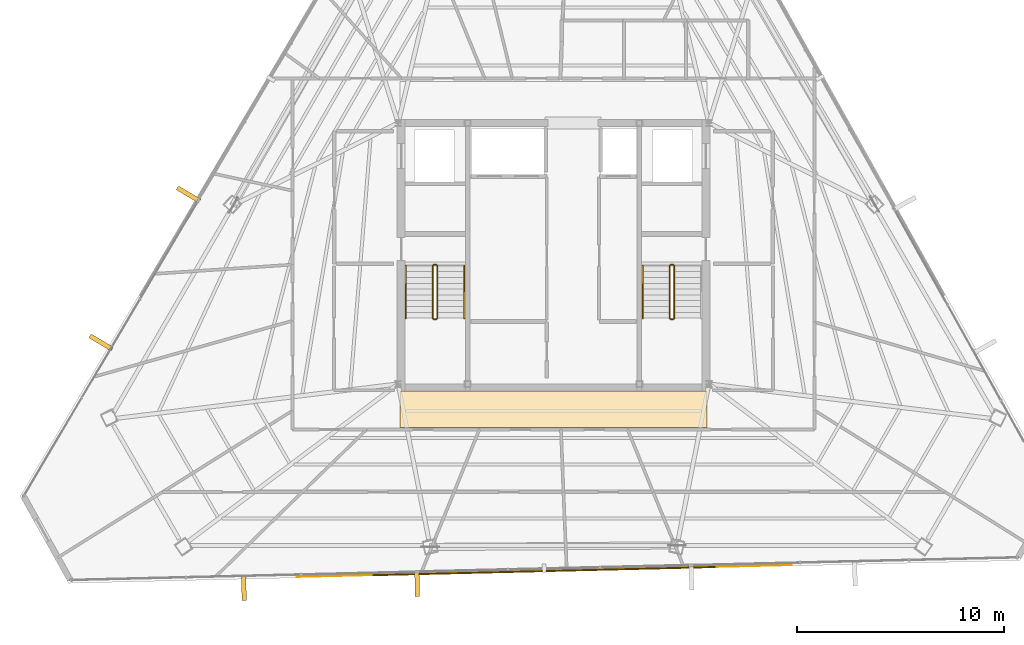
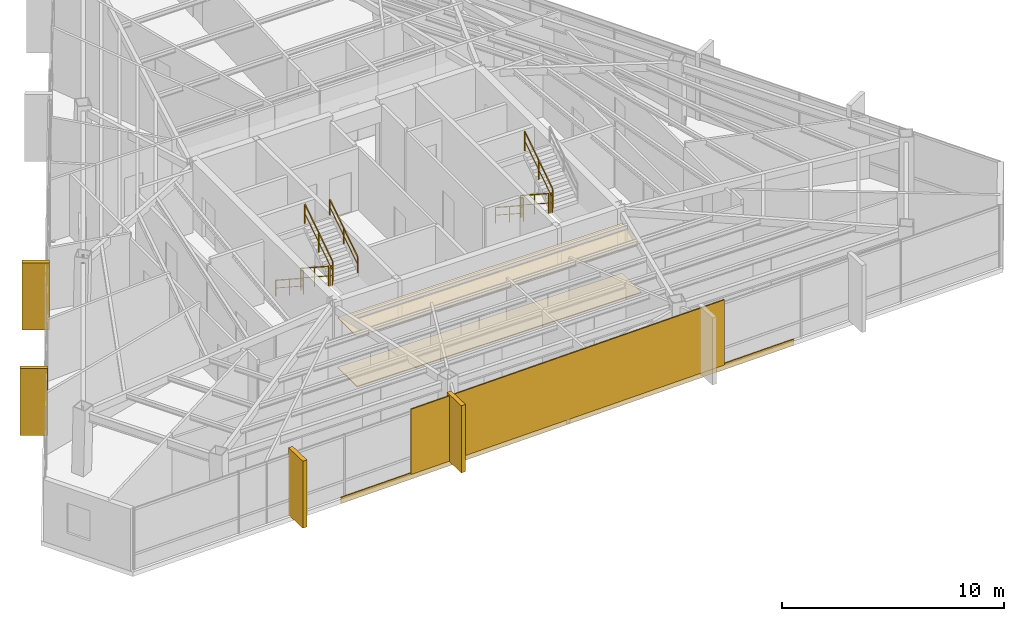
# One storey, part 44 of 45: 11 railings, 7 coverings, 1 shading device.
"""IFC4 building model written with IfcOpenShell, lengths in metres."""

from ifc_helpers import new_model, si_unit, direction, frame, origin, origin_2d, place, context, subcontext, project, spatial, polyline, rectangle, outline, extrude, source, transform, mapped, material, layer, layer_set, type_object, type_shapes, element, save


model = new_model("IFC4")

# Units and contexts
model_context = context("Model", 3, precision=1e-05, world=origin(), true_north=direction((0.0, 1.0)))
body_context = subcontext(model_context, "Body", "Model", "MODEL_VIEW")
ifc_project = project(units=[si_unit("LENGTHUNIT", "METRE"), si_unit("AREAUNIT", "SQUARE_METRE"), si_unit("VOLUMEUNIT", "CUBIC_METRE"), si_unit("PLANEANGLEUNIT", "RADIAN"), si_unit("MASSUNIT", "GRAM", prefix="KILO")], contexts=[model_context])

# Site, building, storey
site_placement = place(None, origin())
site = spatial("IfcSite", under=ifc_project, at=site_placement, CompositionType="ELEMENT")
building_placement = place(site_placement, origin())
building = spatial("IfcBuilding", under=site, at=building_placement, Name="Caelisora Broadcast Tower", CompositionType="ELEMENT")
storey_placement = place(building_placement, frame((0.0, 0.0, 266.35009765625)))
storey = spatial("IfcBuildingStorey", under=building, at=storey_placement, Name="L70", CompositionType="ELEMENT", Elevation=266.35009765625)

# Coverings
ifc_material_1 = material(Name="Perforated Mineral-Fibre Acoustic Ceiling Tile", Category="gypsum")
ifc_layer_1 = layer(ifc_material_1, 0.034912109375, Name="Perforated Mineral-Fibre Acoustic Ceiling Tile")
ifc_layer_set_1 = layer_set([ifc_layer_1], Name="Perforated Mineral-Fibre Acoustic Ceiling Tile")
covering_type_1 = type_object("IfcCoveringType", Name="CE-1", PredefinedType="CEILING", material=ifc_layer_set_1)
covering_1_placement = place(storey_placement, frame((0.0, 0.0, 2.75)))
element("IfcCovering", 1, at=covering_1_placement, inside=storey, type_object=covering_type_1, Name="L70 acoustic corridor ceiling CE-1 (S)", PredefinedType="CEILING", context=body_context, shape_type="SweptSolid", body=[
    extrude(outline(polyline([(30.60009765625, 15.300048828125), (45.39990234375, 15.300048828125), (45.39990234375, 17.050048828125), (30.60009765625, 17.050048828125), (30.60009765625, 15.300048828125)])), origin(), (0.0, 0.0, 1.0), 0.034912109375),
])
ifc_material_2 = material(Name="Anti-Static Broadcast Raised Access Floor Panel", Category="steel")
ifc_layer_2 = layer(ifc_material_2, 0.044921875, Name="Anti-Static Broadcast Raised Access Floor Panel")
ifc_layer_set_2 = layer_set([ifc_layer_2], Name="Anti-Static Broadcast Raised Access Floor Panel")
covering_type_2 = type_object("IfcCoveringType", Name="FL-1", PredefinedType="FLOORING", material=ifc_layer_set_2)
covering_2_placement = place(storey_placement, origin())
element("IfcCovering", 2, at=covering_2_placement, inside=storey, type_object=covering_type_2, Name="L70 broadcast raised access floor FL-1 (S)", PredefinedType="FLOORING", context=body_context, shape_type="SweptSolid", body=[
    extrude(outline(polyline([(30.60009765625, 15.300048828125), (45.39990234375, 15.300048828125), (45.39990234375, 17.050048828125), (30.60009765625, 17.050048828125), (30.60009765625, 15.300048828125)])), origin(), (0.0, 0.0, 1.0), 0.044921875),
])

# Railings
ifc_material_3 = material(Name="Galvanised Steel Safety Guardrail", Category="steel")
ifc_layer_3 = layer(ifc_material_3, 0.048095703125, Name="Galvanised Steel Safety Guardrail")
ifc_layer_set_3 = layer_set([ifc_layer_3], Name="Galvanised Steel Safety Guardrail")
railing_type_1 = type_object("IfcRailingType", Name="GR-1", PredefinedType="GUARDRAIL", material=ifc_layer_set_3)
railing_1_placement = place(storey_placement, frame((32.169921875, 23.10009765625, 0.182373046875)))
element("IfcRailing", 3, at=railing_1_placement, inside=storey, type_object=railing_type_1, Name="L70 ST-1 stair guard 1", PredefinedType="GUARDRAIL", context=body_context, shape_type="SweptSolid", body=[
    extrude(rectangle(XDim=0.048095703125, YDim=0.048095703125, at=origin_2d()), frame((0.0, 0.0, 1.076171875), z_axis=(0.0, -0.837749427056, 0.546054848405), x_axis=(1.0, 0.0, 0.0)), (0.0, 0.0, 1.0), 3.008056640625),
    extrude(rectangle(XDim=0.03125, YDim=0.03125, at=origin_2d()), frame((0.0, 0.0, 0.550048828125), z_axis=(0.0, -0.837749427056, 0.546054848405), x_axis=(1.0, 0.0, 0.0)), (0.0, 0.0, 1.0), 3.008056640625),
    extrude(rectangle(XDim=0.0419921875, YDim=0.0419921875, at=origin_2d()), origin(), (0.0, 0.0, 1.0), 1.052001953125),
    extrude(rectangle(XDim=0.0419921875, YDim=0.0419921875, at=origin_2d()), frame((0.0, -1.260009765625, 0.8212890625)), (0.0, 0.0, 1.0), 1.052001953125),
    extrude(rectangle(XDim=0.0419921875, YDim=0.0419921875, at=origin_2d()), frame((0.0, -2.52001953125, 1.642578125)), (0.0, 0.0, 1.0), 1.052001953125),
])
railing_2_placement = place(storey_placement, frame((32.219970703125, 20.530029296875, 1.824951171875)))
element("IfcRailing", 4, at=railing_2_placement, inside=storey, type_object=railing_type_1, Name="L70 ST-1 stair guard 2", PredefinedType="GUARDRAIL", context=body_context, shape_type="SweptSolid", body=[
    extrude(rectangle(XDim=0.048095703125, YDim=0.048095703125, at=origin_2d()), frame((0.0, 0.0, 1.076171875), z_axis=(1.0, 0.0, 0.0), x_axis=(0.0, 1.0, 0.0)), (0.0, 0.0, 1.0), 0.1201171875),
    extrude(rectangle(XDim=0.03125, YDim=0.03125, at=origin_2d()), frame((0.0, 0.0, 0.550048828125), z_axis=(1.0, 0.0, 0.0), x_axis=(0.0, 1.0, 0.0)), (0.0, 0.0, 1.0), 0.1201171875),
    extrude(rectangle(XDim=0.0419921875, YDim=0.0419921875, at=origin_2d()), origin(), (0.0, 0.0, 1.0), 1.052001953125),
    extrude(rectangle(XDim=0.0419921875, YDim=0.0419921875, at=origin_2d()), frame((0.1201171875, 0.0, 0.0)), (0.0, 0.0, 1.0), 1.052001953125),
])
railing_3_placement = place(storey_placement, frame((32.389892578125, 20.580078125, 2.00732421875)))
element("IfcRailing", 5, at=railing_3_placement, inside=storey, type_object=railing_type_1, Name="L70 ST-1 stair guard 3", PredefinedType="GUARDRAIL", context=body_context, shape_type="SweptSolid", body=[
    extrude(rectangle(XDim=0.048095703125, YDim=0.048095703125, at=origin_2d()), frame((0.0, 0.0, 1.076171875), z_axis=(0.0, 0.837749427056, 0.546054848405), x_axis=(-1.0, 0.0, 0.0)), (0.0, 0.0, 1.0), 3.008056640625),
    extrude(rectangle(XDim=0.03125, YDim=0.03125, at=origin_2d()), frame((0.0, 0.0, 0.550048828125), z_axis=(0.0, 0.837749427056, 0.546054848405), x_axis=(-1.0, 0.0, 0.0)), (0.0, 0.0, 1.0), 3.008056640625),
    extrude(rectangle(XDim=0.0419921875, YDim=0.0419921875, at=origin_2d()), origin(), (0.0, 0.0, 1.0), 1.052001953125),
    extrude(rectangle(XDim=0.0419921875, YDim=0.0419921875, at=origin_2d()), frame((0.0, 1.260009765625, 0.8212890625)), (0.0, 0.0, 1.0), 1.052001953125),
    extrude(rectangle(XDim=0.0419921875, YDim=0.0419921875, at=origin_2d()), frame((0.0, 2.52001953125, 1.642578125)), (0.0, 0.0, 1.0), 1.052001953125),
])
railing_4_placement = place(storey_placement, frame((32.219970703125, 23.14990234375, 0.0)))
element("IfcRailing", 6, at=railing_4_placement, inside=storey, type_object=railing_type_1, Name="L70 ST-1 stair guard 4", PredefinedType="GUARDRAIL", context=body_context, shape_type="SweptSolid", body=[
    extrude(rectangle(XDim=0.048095703125, YDim=0.048095703125, at=origin_2d()), frame((0.0, 0.0, 1.076171875), z_axis=(1.0, 0.0, 0.0), x_axis=(0.0, 1.0, 0.0)), (0.0, 0.0, 1.0), 0.1201171875),
    extrude(rectangle(XDim=0.03125, YDim=0.03125, at=origin_2d()), frame((0.0, 0.0, 0.550048828125), z_axis=(1.0, 0.0, 0.0), x_axis=(0.0, 1.0, 0.0)), (0.0, 0.0, 1.0), 0.1201171875),
    extrude(rectangle(XDim=0.0419921875, YDim=0.0419921875, at=origin_2d()), origin(), (0.0, 0.0, 1.0), 1.052001953125),
    extrude(rectangle(XDim=0.0419921875, YDim=0.0419921875, at=origin_2d()), frame((0.1201171875, 0.0, 0.0)), (0.0, 0.0, 1.0), 1.052001953125),
])
railing_5_placement = place(storey_placement, frame((43.610107421875, 23.10009765625, 0.182373046875)))
element("IfcRailing", 7, at=railing_5_placement, inside=storey, type_object=railing_type_1, Name="L70 ST-2 stair guard 1", PredefinedType="GUARDRAIL", context=body_context, shape_type="SweptSolid", body=[
    extrude(rectangle(XDim=0.048095703125, YDim=0.048095703125, at=origin_2d()), frame((0.0, 0.0, 1.076171875), z_axis=(0.0, -0.837749427056, 0.546054848405), x_axis=(1.0, 0.0, 0.0)), (0.0, 0.0, 1.0), 3.008056640625),
    extrude(rectangle(XDim=0.03125, YDim=0.03125, at=origin_2d()), frame((0.0, 0.0, 0.550048828125), z_axis=(0.0, -0.837749427056, 0.546054848405), x_axis=(1.0, 0.0, 0.0)), (0.0, 0.0, 1.0), 3.008056640625),
    extrude(rectangle(XDim=0.0419921875, YDim=0.0419921875, at=origin_2d()), origin(), (0.0, 0.0, 1.0), 1.052001953125),
    extrude(rectangle(XDim=0.0419921875, YDim=0.0419921875, at=origin_2d()), frame((0.0, -1.260009765625, 0.8212890625)), (0.0, 0.0, 1.0), 1.052001953125),
    extrude(rectangle(XDim=0.0419921875, YDim=0.0419921875, at=origin_2d()), frame((0.0, -2.52001953125, 1.642578125)), (0.0, 0.0, 1.0), 1.052001953125),
])
railing_6_placement = place(storey_placement, frame((43.659912109375, 20.530029296875, 1.824951171875)))
element("IfcRailing", 8, at=railing_6_placement, inside=storey, type_object=railing_type_1, Name="L70 ST-2 stair guard 2", PredefinedType="GUARDRAIL", context=body_context, shape_type="SweptSolid", body=[
    extrude(rectangle(XDim=0.048095703125, YDim=0.048095703125, at=origin_2d()), frame((0.0, 0.0, 1.076171875), z_axis=(1.0, 0.0, 0.0), x_axis=(0.0, 1.0, 0.0)), (0.0, 0.0, 1.0), 0.1201171875),
    extrude(rectangle(XDim=0.03125, YDim=0.03125, at=origin_2d()), frame((0.0, 0.0, 0.550048828125), z_axis=(1.0, 0.0, 0.0), x_axis=(0.0, 1.0, 0.0)), (0.0, 0.0, 1.0), 0.1201171875),
    extrude(rectangle(XDim=0.0419921875, YDim=0.0419921875, at=origin_2d()), origin(), (0.0, 0.0, 1.0), 1.052001953125),
    extrude(rectangle(XDim=0.0419921875, YDim=0.0419921875, at=origin_2d()), frame((0.1201171875, 0.0, 0.0)), (0.0, 0.0, 1.0), 1.052001953125),
])
railing_7_placement = place(storey_placement, frame((43.830078125, 20.580078125, 2.00732421875)))
element("IfcRailing", 9, at=railing_7_placement, inside=storey, type_object=railing_type_1, Name="L70 ST-2 stair guard 3", PredefinedType="GUARDRAIL", context=body_context, shape_type="SweptSolid", body=[
    extrude(rectangle(XDim=0.048095703125, YDim=0.048095703125, at=origin_2d()), frame((0.0, 0.0, 1.076171875), z_axis=(0.0, 0.837749427056, 0.546054848405), x_axis=(-1.0, 0.0, 0.0)), (0.0, 0.0, 1.0), 3.008056640625),
    extrude(rectangle(XDim=0.03125, YDim=0.03125, at=origin_2d()), frame((0.0, 0.0, 0.550048828125), z_axis=(0.0, 0.837749427056, 0.546054848405), x_axis=(-1.0, 0.0, 0.0)), (0.0, 0.0, 1.0), 3.008056640625),
    extrude(rectangle(XDim=0.0419921875, YDim=0.0419921875, at=origin_2d()), origin(), (0.0, 0.0, 1.0), 1.052001953125),
    extrude(rectangle(XDim=0.0419921875, YDim=0.0419921875, at=origin_2d()), frame((0.0, 1.260009765625, 0.8212890625)), (0.0, 0.0, 1.0), 1.052001953125),
    extrude(rectangle(XDim=0.0419921875, YDim=0.0419921875, at=origin_2d()), frame((0.0, 2.52001953125, 1.642578125)), (0.0, 0.0, 1.0), 1.052001953125),
])
railing_8_placement = place(storey_placement, frame((43.659912109375, 23.14990234375, 0.0)))
element("IfcRailing", 10, at=railing_8_placement, inside=storey, type_object=railing_type_1, Name="L70 ST-2 stair guard 4", PredefinedType="GUARDRAIL", context=body_context, shape_type="SweptSolid", body=[
    extrude(rectangle(XDim=0.048095703125, YDim=0.048095703125, at=origin_2d()), frame((0.0, 0.0, 1.076171875), z_axis=(1.0, 0.0, 0.0), x_axis=(0.0, 1.0, 0.0)), (0.0, 0.0, 1.0), 0.1201171875),
    extrude(rectangle(XDim=0.03125, YDim=0.03125, at=origin_2d()), frame((0.0, 0.0, 0.550048828125), z_axis=(1.0, 0.0, 0.0), x_axis=(0.0, 1.0, 0.0)), (0.0, 0.0, 1.0), 0.1201171875),
    extrude(rectangle(XDim=0.0419921875, YDim=0.0419921875, at=origin_2d()), origin(), (0.0, 0.0, 1.0), 1.052001953125),
    extrude(rectangle(XDim=0.0419921875, YDim=0.0419921875, at=origin_2d()), frame((0.1201171875, 0.0, 0.0)), (0.0, 0.0, 1.0), 1.052001953125),
])
ifc_material_4 = material(Name="Stainless Steel Grade 316 Tubular Handrail", Category="steel")
ifc_layer_4 = layer(ifc_material_4, 0.048095703125, Name="Stainless Steel Grade 316 Tubular Handrail")
ifc_layer_set_4 = layer_set([ifc_layer_4], Name="Stainless Steel Grade 316 Tubular Handrail")
railing_type_2 = type_object("IfcRailingType", Name="HR-1", PredefinedType="HANDRAIL", material=ifc_layer_set_4)
railing_9_placement = place(storey_placement, frame((30.8701171875, 23.10009765625, 0.182373046875)))
element("IfcRailing", 11, at=railing_9_placement, inside=storey, type_object=railing_type_2, Name="L70 ST-1 stair handrail 1", PredefinedType="HANDRAIL", context=body_context, shape_type="SweptSolid", body=[
    extrude(rectangle(XDim=0.048095703125, YDim=0.048095703125, at=origin_2d()), frame((0.0, 0.0, 0.8759765625), z_axis=(0.0, -0.837749427056, 0.546054848405), x_axis=(1.0, 0.0, 0.0)), (0.0, 0.0, 1.0), 3.008056640625),
    extrude(rectangle(XDim=0.03125, YDim=0.03125, at=origin_2d()), frame((0.0, 0.0, 0.449951171875), z_axis=(0.0, -0.837749427056, 0.546054848405), x_axis=(1.0, 0.0, 0.0)), (0.0, 0.0, 1.0), 3.008056640625),
    extrude(rectangle(XDim=0.0419921875, YDim=0.0419921875, at=origin_2d()), origin(), (0.0, 0.0, 1.0), 0.851806640625),
    extrude(rectangle(XDim=0.0419921875, YDim=0.0419921875, at=origin_2d()), frame((0.0, -1.260009765625, 0.8212890625)), (0.0, 0.0, 1.0), 0.851806640625),
    extrude(rectangle(XDim=0.0419921875, YDim=0.0419921875, at=origin_2d()), frame((0.0, -2.52001953125, 1.642578125)), (0.0, 0.0, 1.0), 0.851806640625),
])
railing_10_placement = place(storey_placement, frame((33.68994140625, 20.580078125, 2.00732421875)))
element("IfcRailing", 12, at=railing_10_placement, inside=storey, type_object=railing_type_2, Name="L70 ST-1 stair handrail 2", PredefinedType="HANDRAIL", context=body_context, shape_type="SweptSolid", body=[
    extrude(rectangle(XDim=0.048095703125, YDim=0.048095703125, at=origin_2d()), frame((0.0, 0.0, 0.8759765625), z_axis=(0.0, 0.837749427056, 0.546054848405), x_axis=(-1.0, 0.0, 0.0)), (0.0, 0.0, 1.0), 3.008056640625),
    extrude(rectangle(XDim=0.03125, YDim=0.03125, at=origin_2d()), frame((0.0, 0.0, 0.449951171875), z_axis=(0.0, 0.837749427056, 0.546054848405), x_axis=(-1.0, 0.0, 0.0)), (0.0, 0.0, 1.0), 3.008056640625),
    extrude(rectangle(XDim=0.0419921875, YDim=0.0419921875, at=origin_2d()), origin(), (0.0, 0.0, 1.0), 0.851806640625),
    extrude(rectangle(XDim=0.0419921875, YDim=0.0419921875, at=origin_2d()), frame((0.0, 1.260009765625, 0.8212890625)), (0.0, 0.0, 1.0), 0.851806640625),
    extrude(rectangle(XDim=0.0419921875, YDim=0.0419921875, at=origin_2d()), frame((0.0, 2.52001953125, 1.642578125)), (0.0, 0.0, 1.0), 0.851806640625),
])
railing_11_placement = place(storey_placement, frame((42.31005859375, 23.10009765625, 0.182373046875)))
element("IfcRailing", 13, at=railing_11_placement, inside=storey, type_object=railing_type_2, Name="L70 ST-2 stair handrail 1", PredefinedType="HANDRAIL", context=body_context, shape_type="SweptSolid", body=[
    extrude(rectangle(XDim=0.048095703125, YDim=0.048095703125, at=origin_2d()), frame((0.0, 0.0, 0.8759765625), z_axis=(0.0, -0.837749427056, 0.546054848405), x_axis=(1.0, 0.0, 0.0)), (0.0, 0.0, 1.0), 3.008056640625),
    extrude(rectangle(XDim=0.03125, YDim=0.03125, at=origin_2d()), frame((0.0, 0.0, 0.449951171875), z_axis=(0.0, -0.837749427056, 0.546054848405), x_axis=(1.0, 0.0, 0.0)), (0.0, 0.0, 1.0), 3.008056640625),
    extrude(rectangle(XDim=0.0419921875, YDim=0.0419921875, at=origin_2d()), origin(), (0.0, 0.0, 1.0), 0.851806640625),
    extrude(rectangle(XDim=0.0419921875, YDim=0.0419921875, at=origin_2d()), frame((0.0, -1.260009765625, 0.8212890625)), (0.0, 0.0, 1.0), 0.851806640625),
    extrude(rectangle(XDim=0.0419921875, YDim=0.0419921875, at=origin_2d()), frame((0.0, -2.52001953125, 1.642578125)), (0.0, 0.0, 1.0), 0.851806640625),
])

# Coverings
ifc_material_5 = material(Name="Kiln-Fired Terracotta Spandrel Rainscreen Cladding", Category="ceramic")
ifc_layer_5 = layer(ifc_material_5, 0.044921875, Name="Kiln-Fired Terracotta Spandrel Rainscreen Cladding")
ifc_layer_set_5 = layer_set([ifc_layer_5], Name="Kiln-Fired Terracotta Spandrel Rainscreen Cladding")
covering_type_3 = type_object("IfcCoveringType", Name="CL-1", PredefinedType="CLADDING", material=ifc_layer_set_5)
shared_shape_1 = source(origin(), body_context, "Body", "SweptSolid", [
    extrude(rectangle(XDim=0.219970703125, YDim=1.25, at=origin_2d()), origin(), (0.0, 0.0, 1.0), 3.68994140625),
])
for number, where, z_axis, x_axis, name in (
    (14, (31.41748046875, 7.76708984375, -0.02001953125), (0.0, 0.0, 1.0), (-0.999714145402, -0.023908732351, 0.0), "L70 vertical solar fin cladding #2-3"),
    (15, (23.052490234375, 7.567138671875, -0.02001953125), (0.0, 0.0, 1.0), (-0.999714145402, -0.023908732351, 0.0), "L70 vertical solar fin cladding #2-4"),
    (16, (16.154296875, 19.401611328125, -0.02001953125), (0.0, 0.0, 1.0), (0.508590662521, 0.861008442465, 0.0), "L70 vertical solar fin cladding #3-1"),
    (17, (20.3759765625, 26.5498046875, -0.02001953125), (0.0, 0.0, 1.0), (0.508590662521, 0.861008442465, 0.0), "L70 vertical solar fin cladding #3-2"),
):
    element("IfcCovering", number, at=place(storey_placement, frame(where, z_axis=z_axis, x_axis=x_axis)), inside=storey, type_object=covering_type_3, Name=name, PredefinedType="CLADDING", context=body_context, shape_type="MappedRepresentation", body=[
        mapped(shared_shape_1, transform((0.0, 0.0, 0.0), scale=1.0)),
    ])

# Shading device
ifc_material_6 = material(Name="Perforated Glazed Terracotta Baguette Solar Screen", Category="ceramic")
ifc_layer_6 = layer(ifc_material_6, 0.06494140625, Name="Perforated Glazed Terracotta Baguette Solar Screen")
ifc_layer_set_6 = layer_set([ifc_layer_6], Name="Perforated Glazed Terracotta Baguette Solar Screen")
shading_device_type = type_object("IfcShadingDeviceType", Name="SS-1", PredefinedType="USERDEFINED", material=ifc_layer_set_6)
shared_shape_2 = source(origin(), body_context, "Body", "SweptSolid", [
    extrude(rectangle(XDim=16.541015625, YDim=0.06494140625, at=origin_2d()), origin(), (0.0, 0.0, 1.0), 3.590087890625),
])
type_shapes(shading_device_type, [shared_shape_2])
shading_device_placement = place(storey_placement, frame((37.552490234375, 8.364013671875, 0.0), z_axis=(0.0, 0.0, 1.0), x_axis=(0.999714145402, 0.023908732351, 0.0)))
element("IfcShadingDevice", 18, at=shading_device_placement, inside=storey, type_object=shading_device_type, Name="L70 perforated terracotta solar screen #2", ObjectType="SOLAR SCREEN", PredefinedType="USERDEFINED", context=body_context, shape_type="MappedRepresentation", body=[
    mapped(shared_shape_2, transform((0.0, 0.0, 0.0), scale=1.0)),
])

# Covering
shared_shape_3 = source(origin(), body_context, "Body", "SweptSolid", [
    extrude(rectangle(XDim=23.89208984375, YDim=0.044921875, at=origin_2d()), origin(), (0.0, 0.0, 1.0), 0.340087890625),
])
type_shapes(covering_type_3, [shared_shape_1, shared_shape_3])
covering_3_placement = place(storey_placement, frame((37.552001953125, 8.384033203125, -0.27001953125), z_axis=(0.0, 0.0, 1.0), x_axis=(0.999714145402, 0.023908732351, 0.0)))
element("IfcCovering", 19, at=covering_3_placement, inside=storey, type_object=covering_type_3, Name="L70 terracotta spandrel rainscreen #2", PredefinedType="CLADDING", context=body_context, shape_type="MappedRepresentation", body=[
    mapped(shared_shape_3, transform((0.0, 0.0, 0.0), scale=1.0)),
])

save(model, "model.ifc")
